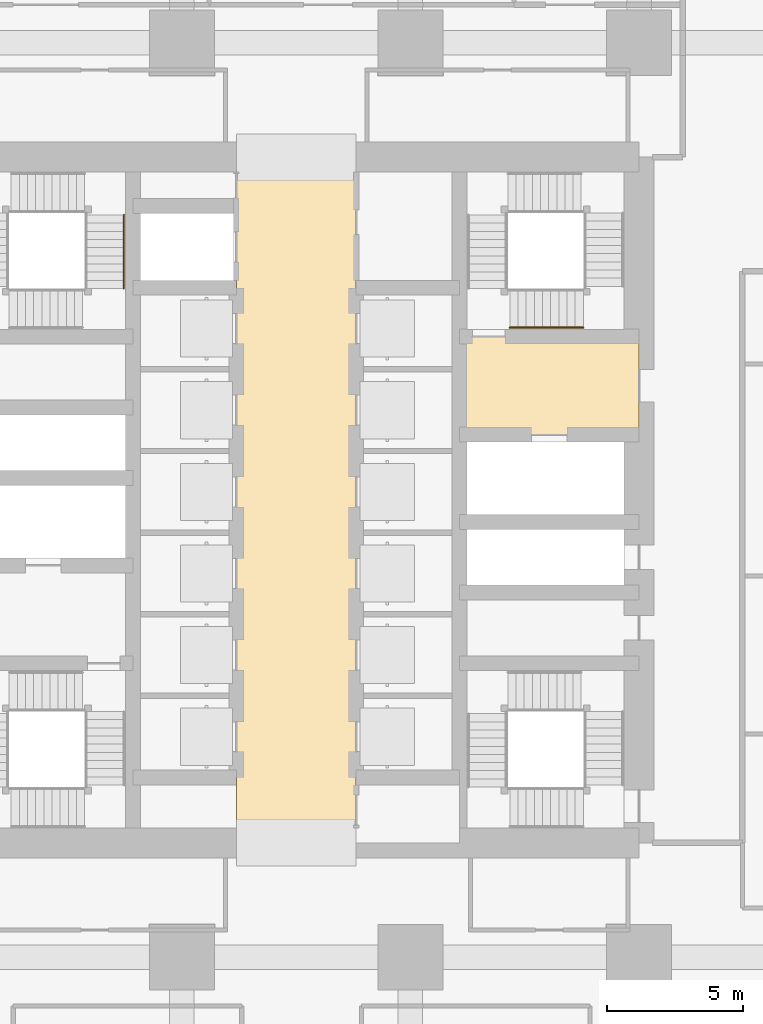
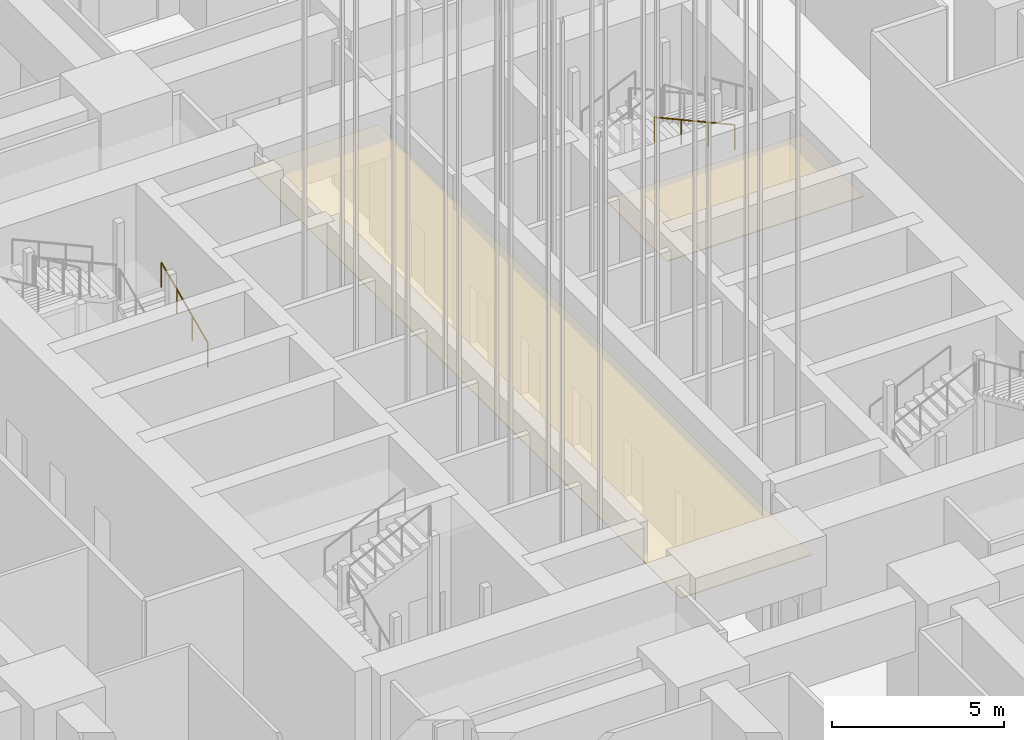
# One storey, part 52 of 81: 2 coverings, 2 railings.
"""IFC4 building model written with IfcOpenShell, lengths in metres."""

from ifc_helpers import new_model, si_unit, direction, frame, origin, origin_2d, place, context, subcontext, project, spatial, polyline, circle, outline, extrude, material, layer, layer_set, type_object, element, save


model = new_model("IFC4")

# Units and contexts
model_context = context("Model", 3, precision=1e-05, world=origin(), true_north=direction((0.0, 1.0)))
body_context = subcontext(model_context, "Body", "Model", "MODEL_VIEW")
ifc_project = project(units=[si_unit("LENGTHUNIT", "METRE"), si_unit("AREAUNIT", "SQUARE_METRE"), si_unit("VOLUMEUNIT", "CUBIC_METRE"), si_unit("PLANEANGLEUNIT", "RADIAN"), si_unit("MASSUNIT", "GRAM", prefix="KILO")], contexts=[model_context])

# Site, building, storey
site_placement = place(None, origin())
site = spatial("IfcSite", under=ifc_project, at=site_placement, CompositionType="ELEMENT")
building_placement = place(site_placement, origin())
building = spatial("IfcBuilding", under=site, at=building_placement, Name="Rekha Terrace Tower", CompositionType="ELEMENT")
storey_placement = place(building_placement, origin())
storey = spatial("IfcBuildingStorey", under=building, at=storey_placement, Name="L00", CompositionType="ELEMENT", Elevation=0.0)

# Coverings
ifc_material_1 = material(Name="Powder-coated aluminium pan", Category="aluminium")
ifc_layer = layer(ifc_material_1, 0.030029296875)
ifc_layer_set = layer_set([ifc_layer], Name="Powder-coated aluminium pan")
covering_type = type_object("IfcCoveringType", Name="CL3 300x1200 metal pan ceiling", PredefinedType="CEILING", material=ifc_layer_set)
covering_1_placement = place(storey_placement, frame((0.0, 0.0, 4.169921875)))
element("IfcCovering", 1, at=covering_1_placement, inside=storey, type_object=covering_type, Name="Ceiling L00-LOBBY", PredefinedType="CEILING", context=body_context, shape_type="SweptSolid", body=[
    extrude(outline(polyline([(40.0, 46.199951171875), (35.60009765625, 46.199951171875), (35.60009765625, 21.0), (40.0, 21.0), (40.0, 46.199951171875)])), origin(), (0.0, 0.0, 1.0), 0.030029296875),
])
covering_2_placement = place(storey_placement, frame((0.0, 0.0, 4.169921875)))
element("IfcCovering", 2, at=covering_2_placement, inside=storey, type_object=covering_type, Name="Ceiling L00-FLB2", PredefinedType="CEILING", context=body_context, shape_type="SweptSolid", body=[
    extrude(outline(polyline([(50.39990234375, 39.60009765625), (43.800048828125, 39.60009765625), (43.800048828125, 36.0), (50.39990234375, 36.0), (50.39990234375, 39.60009765625)])), origin(), (0.0, 0.0, 1.0), 0.030029296875),
])

# Railings
ifc_material_2 = material(Name="Stainless steel tube", Category="steel")
railing_type = type_object("IfcRailingType", Name="HR1 900 stair handrail", PredefinedType="HANDRAIL", material=ifc_material_2)
railing_1_placement = place(storey_placement, frame((48.35009765625, 39.93505859375, 4.18505859375)))
element("IfcRailing", 3, at=railing_1_placement, inside=storey, type_object=railing_type, Name="Handrail ST2 L00 flight 4", PredefinedType="HANDRAIL", context=body_context, shape_type="SweptSolid", body=[
    extrude(circle(Radius=0.02392578125, at=origin_2d()), frame((0.0, 0.0, 0.8759765625), z_axis=(-0.91195235894, 0.0, 0.410296106518), x_axis=(0.0, -1.0, 0.0)), (0.0, 0.0, 1.0), 2.9609375),
    extrude(circle(Radius=0.02099609375, at=origin_2d()), origin(), (0.0, 0.0, 1.0), 0.851806640625),
    extrude(circle(Radius=0.02099609375, at=origin_2d()), frame((-0.900146484375, 0.0, 0.405029296875)), (0.0, 0.0, 1.0), 0.851806640625),
    extrude(circle(Radius=0.02099609375, at=origin_2d()), frame((-1.800048828125, 0.0, 0.809814453125)), (0.0, 0.0, 1.0), 0.851806640625),
    extrude(circle(Radius=0.02099609375, at=origin_2d()), frame((-2.7001953125, 0.0, 1.21484375)), (0.0, 0.0, 1.0), 0.851806640625),
])
railing_2_placement = place(storey_placement, frame((31.465087890625, 41.375, 1.485107421875)))
element("IfcRailing", 4, at=railing_2_placement, inside=storey, type_object=railing_type, Name="Handrail ST4 L00 flight 2", PredefinedType="HANDRAIL", context=body_context, shape_type="SweptSolid", body=[
    extrude(circle(Radius=0.02392578125, at=origin_2d()), frame((0.0, 0.0, 0.8759765625), z_axis=(0.0, 0.91193847666, 0.410326960834), x_axis=(-1.0, 0.0, 0.0)), (0.0, 0.0, 1.0), 2.960693359375),
    extrude(circle(Radius=0.02099609375, at=origin_2d()), origin(), (0.0, 0.0, 1.0), 0.851806640625),
    extrude(circle(Radius=0.02099609375, at=origin_2d()), frame((0.0, 0.89990234375, 0.405029296875)), (0.0, 0.0, 1.0), 0.851806640625),
    extrude(circle(Radius=0.02099609375, at=origin_2d()), frame((0.0, 1.800048828125, 0.809814453125)), (0.0, 0.0, 1.0), 0.851806640625),
    extrude(circle(Radius=0.02099609375, at=origin_2d()), frame((0.0, 2.699951171875, 1.21484375)), (0.0, 0.0, 1.0), 0.851806640625),
])

save(model, "model.ifc")
